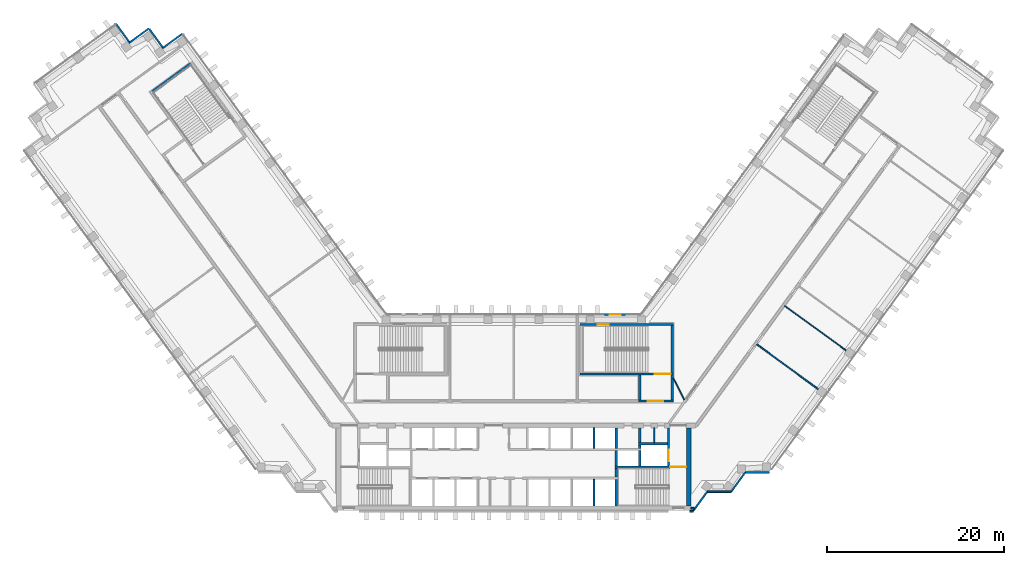
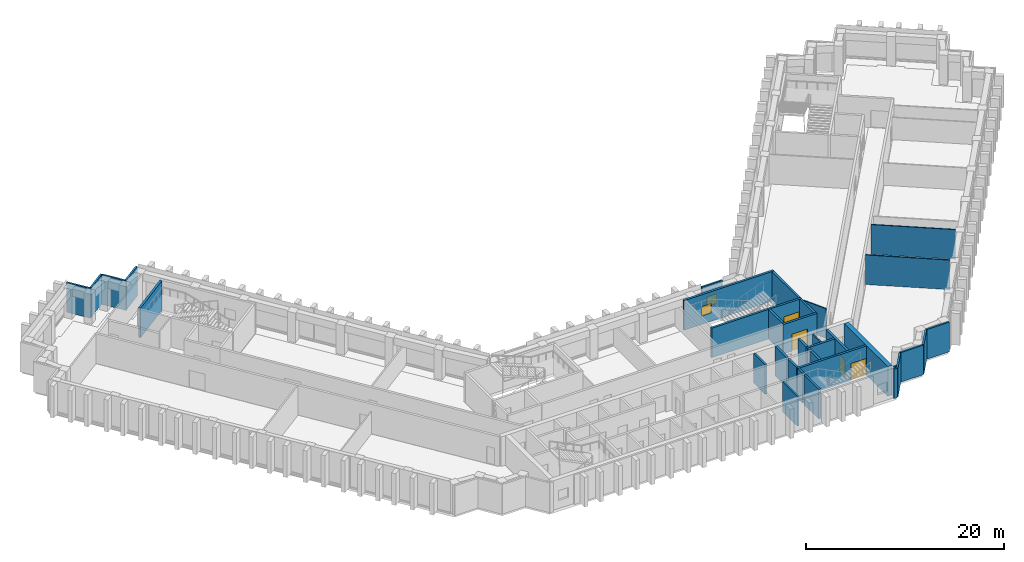
# One storey, part 8 of 13: 35 walls, 4 doors, 2 windows, 6 openings.
"""IFC4 building model written with IfcOpenShell, lengths in metres."""

from ifc_helpers import new_model, si_unit, direction, frame, frame_2d, origin, place, context, subcontext, project, spatial, rectangle, extrude, material, layer, layer_set, type_object, element, fill, save


model = new_model("IFC4")

# Units and contexts
model_context = context("Model", 3, precision=1e-05, world=origin(), true_north=direction((0.0, 1.0)))
body_context = subcontext(model_context, "Body", "Model", "MODEL_VIEW")
ifc_project = project(units=[si_unit("LENGTHUNIT", "METRE"), si_unit("AREAUNIT", "SQUARE_METRE"), si_unit("VOLUMEUNIT", "CUBIC_METRE"), si_unit("PLANEANGLEUNIT", "RADIAN"), si_unit("MASSUNIT", "GRAM", prefix="KILO")], contexts=[model_context])

# Site, building, storey
site_placement = place(None, origin())
site = spatial("IfcSite", under=ifc_project, at=site_placement, CompositionType="ELEMENT")
building_placement = place(site_placement, origin())
building = spatial("IfcBuilding", under=site, at=building_placement, Name="Quipu Civic Tower", CompositionType="ELEMENT")
storey_placement = place(building_placement, frame((0.0, 0.0, 67.0)))
storey = spatial("IfcBuildingStorey", under=building, at=storey_placement, Name="L15", CompositionType="ELEMENT", Elevation=67.0)

# Walls
ifc_material_1 = material(Name="Double gypsum plasterboard with mineral wool")
ifc_layer_1 = layer(ifc_material_1, 0.14990234375)
ifc_layer_set_1 = layer_set([ifc_layer_1], Name="Double gypsum plasterboard with mineral wool")
wall_type_1 = type_object("IfcWallType", Name="Acoustic partition 150 plasterboard", PredefinedType="PARTITIONING", material=ifc_layer_set_1)
wall_1_placement = place(storey_placement, frame((27.412841796875, 7.735107421875, 0.0), z_axis=(0.0, 0.0, 1.0), x_axis=(0.807664804385, -0.589641894507, 0.0)))
element("IfcWall", 1, at=wall_1_placement, inside=storey, type_object=wall_type_1, Name="Partition P01", PredefinedType="PARTITIONING", context=body_context, shape_type="SweptSolid", body=[
    extrude(rectangle(XDim=8.594482421875, YDim=0.14990234375, at=frame_2d((4.29736328125, 0.0))), origin(), (0.0, 0.0, 1.0), 3.64990234375),
])
ifc_material_2 = material(Name="Concrete C70/85", Category="concrete")
ifc_layer_2 = layer(ifc_material_2, 0.25)
ifc_layer_set_2 = layer_set([ifc_layer_2], Name="Concrete C70/85")
wall_type_2 = type_object("IfcWallType", Name="Core wall 250", PredefinedType="SHEAR", material=ifc_layer_set_2)
wall_2_placement = place(storey_placement, frame((11.574951171875, -10.5, 0.0), z_axis=(0.0, 0.0, 1.0), x_axis=(0.0, 1.0, 0.0)))
element("IfcWall", 2, at=wall_2_placement, inside=storey, type_object=wall_type_2, Name="Core wall", PredefinedType="SHEAR", context=body_context, shape_type="SweptSolid", body=[
    extrude(rectangle(XDim=3.0, YDim=0.25, at=frame_2d((1.5, 0.0))), origin(), (0.0, 0.0, 1.0), 3.64990234375),
])
wall_3_placement = place(storey_placement, frame((11.574951171875, -7.25, 0.0), z_axis=(0.0, 0.0, 1.0), x_axis=(0.0, 1.0, 0.0)))
element("IfcWall", 3, at=wall_3_placement, inside=storey, type_object=wall_type_2, Name="Core wall", PredefinedType="SHEAR", context=body_context, shape_type="SweptSolid", body=[
    extrude(rectangle(XDim=1.0, YDim=0.25, at=frame_2d((0.5, 0.0))), origin(), (0.0, 0.0, 1.0), 3.64990234375),
])

# Wall, opening, door
wall_4_placement = place(storey_placement, frame((19.5, -6.125, 0.0), z_axis=(0.0, 0.0, 1.0), x_axis=(-1.0, 0.0, 0.0)))
wall_4 = element("IfcWall", 4, at=wall_4_placement, inside=storey, type_object=wall_type_2, Name="Core wall", PredefinedType="SHEAR", context=body_context, shape_type="SweptSolid", body=[
    extrude(rectangle(XDim=8.050048828125, YDim=0.25, at=frame_2d((4.02490234375, 0.0))), origin(), (0.0, 0.0, 1.0), 3.64990234375),
])
opening_1_placement = place(wall_4_placement, frame((0.050048828125, 0.0, 0.0)))
opening_1 = element("IfcOpeningElement", 5, at=opening_1_placement, cuts=wall_4, Name="Opening CD-05", PredefinedType="OPENING", context=body_context, shape_type="SweptSolid", body=[
    extrude(rectangle(XDim=1.800048828125, YDim=2.10009765625, at=frame_2d((0.89990234375, 1.050048828125))), frame((0.0, 0.135009765625, 0.0), z_axis=(0.0, -1.0, 0.0), x_axis=(1.0, 0.0, 0.0)), (0.0, 0.0, 1.0), 0.27001953125),
])
ifc_material_3 = material(Name="Fire rated steel door", Category="steel")
door_type_1 = type_object("IfcDoorType", Name="Fire door FD90 double 1800 x 2100", OperationType="NOTDEFINED", PredefinedType="DOOR", material=ifc_material_3)
door_1_placement = place(opening_1_placement, origin())
door_1 = element("IfcDoor", 6, at=door_1_placement, inside=storey, type_object=door_type_1, Name="Door", OperationType="DOUBLE_DOOR_SINGLE_SWING", OverallHeight=2.10009765625, OverallWidth=1.800048828125, PredefinedType="DOOR", context=body_context, shape_type="SweptSolid", body=[
    extrude(rectangle(XDim=1.800048828125, YDim=2.10009765625, at=frame_2d((0.89990234375, 1.050048828125))), frame((0.0, 0.02490234375, 0.0), z_axis=(0.0, -1.0, 0.0), x_axis=(1.0, 0.0, 0.0)), (0.0, 0.0, 1.0), 0.050048828125),
])
fill(opening_1, door_1)

# Walls
for number, where, z_axis, x_axis, name in (
    (7, (11.574951171875, -6.0, 0.0), (0.0, 0.0, 1.0), (0.0, 1.0, 0.0), "Core wall"),
    (8, (14.22509765625, -6.0, 0.0), (0.0, 0.0, 1.0), (0.0, 1.0, 0.0), "Core wall"),
):
    element("IfcWall", number, at=place(storey_placement, frame(where, z_axis=z_axis, x_axis=x_axis)), inside=storey, type_object=wall_type_2, Name=name, PredefinedType="SHEAR", context=body_context, shape_type="SweptSolid", body=[
        extrude(rectangle(XDim=1.75, YDim=0.25, at=frame_2d((0.875, 0.0))), origin(), (0.0, 0.0, 1.0), 3.64990234375),
    ])

# Wall, opening, door
wall_5_placement = place(storey_placement, frame((17.47509765625, -6.0, 0.0), z_axis=(0.0, 0.0, 1.0), x_axis=(0.0, 1.0, 0.0)))
wall_5 = element("IfcWall", 9, at=wall_5_placement, inside=storey, type_object=wall_type_2, Name="Core wall", PredefinedType="SHEAR", context=body_context, shape_type="SweptSolid", body=[
    extrude(rectangle(XDim=4.300048828125, YDim=0.25, at=frame_2d((2.14990234375, 0.0))), origin(), (0.0, 0.0, 1.0), 3.64990234375),
])
opening_2_placement = place(wall_5_placement, frame((0.550048828125, 0.0, 0.0)))
opening_2 = element("IfcOpeningElement", 10, at=opening_2_placement, cuts=wall_5, Name="Opening LD-FF2", PredefinedType="OPENING", context=body_context, shape_type="SweptSolid", body=[
    extrude(rectangle(XDim=1.300048828125, YDim=2.10009765625, at=frame_2d((0.64990234375, 1.050048828125))), frame((0.0, 0.135009765625, 0.0), z_axis=(0.0, -1.0, 0.0), x_axis=(1.0, 0.0, 0.0)), (0.0, 0.0, 1.0), 0.27001953125),
])
ifc_material_4 = material(Name="Stainless steel", Category="steel")
door_type_2 = type_object("IfcDoorType", Name="Lift landing door 1300 x 2100", OperationType="DOUBLE_DOOR_SLIDING", PredefinedType="DOOR", material=ifc_material_4)
door_2_placement = place(opening_2_placement, origin())
door_2 = element("IfcDoor", 11, at=door_2_placement, inside=storey, type_object=door_type_2, Name="Landing door FF2", OperationType="DOUBLE_DOOR_SLIDING", OverallHeight=2.10009765625, OverallWidth=1.300048828125, PredefinedType="DOOR", context=body_context, shape_type="SweptSolid", body=[
    extrude(rectangle(XDim=1.300048828125, YDim=2.10009765625, at=frame_2d((0.64990234375, 1.050048828125))), frame((0.0, 0.02490234375, 0.0), z_axis=(0.0, -1.0, 0.0), x_axis=(1.0, 0.0, 0.0)), (0.0, 0.0, 1.0), 0.050048828125),
])
fill(opening_2, door_2)

# Walls
wall_6_placement = place(storey_placement, frame((11.574951171875, -4.0, 0.0), z_axis=(0.0, 0.0, 1.0), x_axis=(0.0, 1.0, 0.0)))
element("IfcWall", 12, at=wall_6_placement, inside=storey, type_object=wall_type_2, Name="Core wall", PredefinedType="SHEAR", context=body_context, shape_type="SweptSolid", body=[
    extrude(rectangle(XDim=2.300048828125, YDim=0.25, at=frame_2d((1.14990234375, 0.0))), origin(), (0.0, 0.0, 1.0), 3.64990234375),
])
wall_7_placement = place(storey_placement, frame((14.22509765625, -4.0, 0.0), z_axis=(0.0, 0.0, 1.0), x_axis=(0.0, 1.0, 0.0)))
element("IfcWall", 13, at=wall_7_placement, inside=storey, type_object=wall_type_2, Name="Core wall", PredefinedType="SHEAR", context=body_context, shape_type="SweptSolid", body=[
    extrude(rectangle(XDim=0.39990234375, YDim=0.25, at=frame_2d((0.199951171875, 0.0))), origin(), (0.0, 0.0, 1.0), 3.64990234375),
])
wall_8_placement = place(storey_placement, frame((14.10009765625, -3.47509765625, 0.0), z_axis=(0.0, 0.0, 1.0), x_axis=(1.0, 0.0, 0.0)))
element("IfcWall", 14, at=wall_8_placement, inside=storey, type_object=wall_type_2, Name="Core wall", PredefinedType="SHEAR", context=body_context, shape_type="SweptSolid", body=[
    extrude(rectangle(XDim=3.25, YDim=0.25, at=frame_2d((1.625, 0.0))), origin(), (0.0, 0.0, 1.0), 3.64990234375),
])
wall_9_placement = place(storey_placement, frame((14.22509765625, -3.35009765625, 0.0), z_axis=(0.0, 0.0, 1.0), x_axis=(0.0, 1.0, 0.0)))
element("IfcWall", 15, at=wall_9_placement, inside=storey, type_object=wall_type_2, Name="Core wall", PredefinedType="SHEAR", context=body_context, shape_type="SweptSolid", body=[
    extrude(rectangle(XDim=1.650146484375, YDim=0.25, at=frame_2d((0.8251953125, 0.0))), origin(), (0.0, 0.0, 1.0), 3.64990234375),
])

# Wall, opening, door
wall_10_placement = place(storey_placement, frame((14.10009765625, 1.324951171875, 0.0), z_axis=(0.0, 0.0, 1.0), x_axis=(1.0, 0.0, 0.0)))
wall_10 = element("IfcWall", 16, at=wall_10_placement, inside=storey, type_object=wall_type_2, Name="Core wall", PredefinedType="SHEAR", context=body_context, shape_type="SweptSolid", body=[
    extrude(rectangle(XDim=3.89990234375, YDim=0.25, at=frame_2d((1.949951171875, 0.0))), origin(), (0.0, 0.0, 1.0), 3.64990234375),
])
opening_3_placement = place(wall_10_placement, frame((1.0, 0.0, 0.0)))
opening_3 = element("IfcOpeningElement", 17, at=opening_3_placement, cuts=wall_10, Name="Opening CD-17", PredefinedType="OPENING", context=body_context, shape_type="SweptSolid", body=[
    extrude(rectangle(XDim=1.800048828125, YDim=2.10009765625, at=frame_2d((0.89990234375, 1.050048828125))), frame((0.0, 0.135009765625, 0.0), z_axis=(0.0, -1.0, 0.0), x_axis=(1.0, 0.0, 0.0)), (0.0, 0.0, 1.0), 0.27001953125),
])
door_3_placement = place(opening_3_placement, origin())
door_3 = element("IfcDoor", 18, at=door_3_placement, inside=storey, type_object=door_type_1, Name="Lobby door", OperationType="DOUBLE_DOOR_SINGLE_SWING", OverallHeight=2.10009765625, OverallWidth=1.800048828125, PredefinedType="DOOR", context=body_context, shape_type="SweptSolid", body=[
    extrude(rectangle(XDim=1.800048828125, YDim=2.10009765625, at=frame_2d((0.89990234375, 1.050048828125))), frame((0.0, 0.02490234375, 0.0), z_axis=(0.0, -1.0, 0.0), x_axis=(1.0, 0.0, 0.0)), (0.0, 0.0, 1.0), 0.050048828125),
])
fill(opening_3, door_3)

# Walls
for number, where, z_axis, x_axis, name in (
    (19, (14.22509765625, 1.449951171875, 0.0), (0.0, 0.0, 1.0), (0.0, 1.0, 0.0), "Core wall"),
    (20, (17.875, 1.449951171875, 0.0), (0.0, 0.0, 1.0), (0.0, 1.0, 0.0), "Core wall"),
):
    element("IfcWall", number, at=place(storey_placement, frame(where, z_axis=z_axis, x_axis=x_axis)), inside=storey, type_object=wall_type_2, Name=name, PredefinedType="SHEAR", context=body_context, shape_type="SweptSolid", body=[
        extrude(rectangle(XDim=2.800048828125, YDim=0.25, at=frame_2d((1.39990234375, 0.0))), origin(), (0.0, 0.0, 1.0), 3.64990234375),
    ])

# Wall, opening, door
wall_11_placement = place(storey_placement, frame((7.5, 4.375, 0.0), z_axis=(0.0, 0.0, 1.0), x_axis=(1.0, 0.0, 0.0)))
wall_11 = element("IfcWall", 21, at=wall_11_placement, inside=storey, type_object=wall_type_2, Name="Core wall", PredefinedType="SHEAR", context=body_context, shape_type="SweptSolid", body=[
    extrude(rectangle(XDim=10.5, YDim=0.25, at=frame_2d((5.25, 0.0))), origin(), (0.0, 0.0, 1.0), 3.64990234375),
])
opening_4_placement = place(wall_11_placement, frame((8.39990234375, 0.0, 0.0)))
opening_4 = element("IfcOpeningElement", 22, at=opening_4_placement, cuts=wall_11, Name="Opening CD-18", PredefinedType="OPENING", context=body_context, shape_type="SweptSolid", body=[
    extrude(rectangle(XDim=1.800048828125, YDim=2.10009765625, at=frame_2d((0.89990234375, 1.050048828125))), frame((0.0, 0.135009765625, 0.0), z_axis=(0.0, -1.0, 0.0), x_axis=(1.0, 0.0, 0.0)), (0.0, 0.0, 1.0), 0.27001953125),
])
door_4_placement = place(opening_4_placement, origin())
door_4 = element("IfcDoor", 23, at=door_4_placement, inside=storey, type_object=door_type_1, Name="Door", OperationType="DOUBLE_DOOR_SINGLE_SWING", OverallHeight=2.10009765625, OverallWidth=1.800048828125, PredefinedType="DOOR", context=body_context, shape_type="SweptSolid", body=[
    extrude(rectangle(XDim=1.800048828125, YDim=2.10009765625, at=frame_2d((0.89990234375, 1.050048828125))), frame((0.0, 0.02490234375, 0.0), z_axis=(0.0, -1.0, 0.0), x_axis=(1.0, 0.0, 0.0)), (0.0, 0.0, 1.0), 0.050048828125),
])
fill(opening_4, door_4)

# Wall
wall_12_placement = place(storey_placement, frame((17.875, 4.5, 0.0), z_axis=(0.0, 0.0, 1.0), x_axis=(0.0, 1.0, 0.0)))
element("IfcWall", 24, at=wall_12_placement, inside=storey, type_object=wall_type_2, Name="Core wall", PredefinedType="SHEAR", context=body_context, shape_type="SweptSolid", body=[
    extrude(rectangle(XDim=5.35009765625, YDim=0.25, at=frame_2d((2.675048828125, 0.0))), origin(), (0.0, 0.0, 1.0), 3.64990234375),
])

# Wall, opening, window
wall_13_placement = place(storey_placement, frame((7.5, 9.97509765625, 0.0), z_axis=(0.0, 0.0, 1.0), x_axis=(1.0, 0.0, 0.0)))
wall_13 = element("IfcWall", 25, at=wall_13_placement, inside=storey, type_object=wall_type_2, Name="Core wall", PredefinedType="SHEAR", context=body_context, shape_type="SweptSolid", body=[
    extrude(rectangle(XDim=10.5, YDim=0.25, at=frame_2d((5.25, 0.0))), origin(), (0.0, 0.0, 1.0), 3.64990234375),
])
opening_5_placement = place(wall_13_placement, frame((2.0, 0.0, 1.0)))
opening_5 = element("IfcOpeningElement", 26, at=opening_5_placement, cuts=wall_13, Name="Opening SV-4", PredefinedType="OPENING", context=body_context, shape_type="SweptSolid", body=[
    extrude(rectangle(XDim=1.199951171875, YDim=1.199951171875, at=frame_2d((0.60009765625, 0.60009765625))), frame((0.0, 0.135009765625, 0.0), z_axis=(0.0, -1.0, 0.0), x_axis=(1.0, 0.0, 0.0)), (0.0, 0.0, 1.0), 0.27001953125),
])
ifc_material_5 = material(Name="Aluminium louvre", Category="aluminium")
window_type_1 = type_object("IfcWindowType", Name="Stair ventilation louvre 1200 x 1200", PartitioningType="SINGLE_PANEL", PredefinedType="WINDOW", material=ifc_material_5)
window_1_placement = place(opening_5_placement, origin())
window_1 = element("IfcWindow", 27, at=window_1_placement, inside=storey, type_object=window_type_1, Name="Stair ventilation opening", OverallHeight=1.199951171875, OverallWidth=1.199951171875, PartitioningType="SINGLE_PANEL", PredefinedType="WINDOW", context=body_context, shape_type="SweptSolid", body=[
    extrude(rectangle(XDim=1.199951171875, YDim=1.199951171875, at=frame_2d((0.60009765625, 0.60009765625))), frame((0.0, 0.030029296875, 0.0), z_axis=(0.0, -1.0, 0.0), x_axis=(1.0, 0.0, 0.0)), (0.0, 0.0, 1.0), 0.06005859375),
])
fill(opening_5, window_1)

# Walls
wall_14_placement = place(storey_placement, frame((-36.43896484375, 39.384033203125, 0.0), z_axis=(0.0, 0.0, 1.0), x_axis=(-0.809020161303, -0.587780893365, 0.0)))
element("IfcWall", 28, at=wall_14_placement, inside=storey, type_object=wall_type_2, Name="Core wall", PredefinedType="SHEAR", context=body_context, shape_type="SweptSolid", body=[
    extrude(rectangle(XDim=5.349853515625, YDim=0.25, at=frame_2d((2.6748046875, 0.0))), origin(), (0.0, 0.0, 1.0), 3.64990234375),
])
ifc_material_6 = material(Name="Concrete C70/85", Category="concrete")
ifc_layer_3 = layer(ifc_material_6, 0.5)
ifc_layer_set_3 = layer_set([ifc_layer_3], Name="Concrete C70/85")
wall_type_3 = type_object("IfcWallType", Name="Core wall 500", PredefinedType="SHEAR", material=ifc_layer_set_3)
wall_15_placement = place(storey_placement, frame((19.75, -10.5, 0.0), z_axis=(0.0, 0.0, 1.0), x_axis=(0.0, 1.0, 0.0)))
element("IfcWall", 29, at=wall_15_placement, inside=storey, type_object=wall_type_3, Name="Core wall", PredefinedType="SHEAR", context=body_context, shape_type="SweptSolid", body=[
    extrude(rectangle(XDim=8.800048828125, YDim=0.5, at=frame_2d((4.39990234375, 0.0))), origin(), (0.0, 0.0, 1.0), 3.64990234375),
])
ifc_material_7 = material(Name="Gypsum plasterboard on light gauge framing")
ifc_layer_4 = layer(ifc_material_7, 0.1201171875)
ifc_layer_set_4 = layer_set([ifc_layer_4], Name="Gypsum plasterboard on light gauge framing")
wall_type_4 = type_object("IfcWallType", Name="Partition 120 plasterboard", PredefinedType="PARTITIONING", material=ifc_layer_set_4)
wall_16_placement = place(storey_placement, frame((37.516357421875, 7.019775390625, 0.0), z_axis=(0.0, 0.0, 1.0), x_axis=(-0.809002556908, 0.587805123248, 0.0)))
element("IfcWall", 30, at=wall_16_placement, inside=storey, type_object=wall_type_4, Name="Partition P02", PredefinedType="PARTITIONING", context=body_context, shape_type="SweptSolid", body=[
    extrude(rectangle(XDim=8.5947265625, YDim=0.1201171875, at=frame_2d((4.29736328125, 0.0))), origin(), (0.0, 0.0, 1.0), 3.64990234375),
])
wall_17_placement = place(storey_placement, frame((18.0, 3.925048828125, 0.0), z_axis=(0.0, 0.0, 1.0), x_axis=(0.453950796792, -0.891026752736, 0.0)))
element("IfcWall", 31, at=wall_17_placement, inside=storey, type_object=wall_type_4, Name="Partition P18", PredefinedType="PARTITIONING", context=body_context, shape_type="SweptSolid", body=[
    extrude(rectangle(XDim=2.77783203125, YDim=0.1201171875, at=frame_2d((1.388916015625, 0.0))), origin(), (0.0, 0.0, 1.0), 3.64990234375),
])
ifc_material_8 = material(Name="Gypsum board partition")
ifc_layer_5 = layer(ifc_material_8, 0.14990234375)
ifc_layer_set_5 = layer_set([ifc_layer_5], Name="Gypsum board partition")
wall_type_5 = type_object("IfcWallType", Name="Partition 150", PredefinedType="PARTITIONING", material=ifc_layer_set_5)
wall_18_placement = place(storey_placement, frame((15.85009765625, -3.35009765625, 0.0), z_axis=(0.0, 0.0, 1.0), x_axis=(0.0, 1.0, 0.0)))
element("IfcWall", 32, at=wall_18_placement, inside=storey, type_object=wall_type_5, Name="Partition", PredefinedType="PARTITIONING", context=body_context, shape_type="SweptSolid", body=[
    extrude(rectangle(XDim=1.650146484375, YDim=0.14990234375, at=frame_2d((0.8251953125, 0.0))), origin(), (0.0, 0.0, 1.0), 3.64990234375),
])
ifc_material_9 = material(Name="Precast concrete C40/50", Category="concrete")
wall_type_6 = type_object("IfcWallType", Name="Precast cladding wall", PredefinedType="SOLIDWALL", material=ifc_material_9)
wall_19_placement = place(storey_placement, frame((-37.352783203125, 42.768310546875, 0.0), z_axis=(0.0, 0.0, 1.0), x_axis=(-0.809033161865, -0.587762999008, 0.0)))
element("IfcWall", 33, at=wall_19_placement, inside=storey, type_object=wall_type_6, Name="Precast cladding wall L15 2", PredefinedType="SOLIDWALL", context=body_context, shape_type="SweptSolid", body=[
    extrude(rectangle(XDim=2.699951171875, YDim=0.199951171875, at=frame_2d((1.35009765625, 0.0))), origin(), (0.0, 0.0, 1.0), 3.64990234375),
])
wall_20_placement = place(storey_placement, frame((-39.488037109375, 41.093505859375, 0.0), z_axis=(0.0, 0.0, 1.0), x_axis=(-0.587806000234, 0.809001919707, 0.0)))
element("IfcWall", 34, at=wall_20_placement, inside=storey, type_object=wall_type_6, Name="Precast cladding wall L15 3", PredefinedType="SOLIDWALL", context=body_context, shape_type="SweptSolid", body=[
    extrude(rectangle(XDim=2.69970703125, YDim=0.199951171875, at=frame_2d((1.349853515625, 0.0))), origin(), (0.0, 0.0, 1.0), 3.64990234375),
])
for number, where, z_axis, x_axis, name in (
    (35, (-41.1240234375, 43.36572265625, 0.0), (0.0, 0.0, 1.0), (-0.809033161865, -0.587762999008, 0.0), "Precast cladding wall L15 4"),
    (36, (-43.25927734375, 41.690673828125, 0.0), (0.0, 0.0, 1.0), (-0.587822180636, 0.808990163075, 0.0), "Precast cladding wall L15 5"),
):
    element("IfcWall", number, at=place(storey_placement, frame(where, z_axis=z_axis, x_axis=x_axis)), inside=storey, type_object=wall_type_6, Name=name, PredefinedType="SOLIDWALL", context=body_context, shape_type="SweptSolid", body=[
        extrude(rectangle(XDim=2.699951171875, YDim=0.199951171875, at=frame_2d((1.35009765625, 0.0))), origin(), (0.0, 0.0, 1.0), 3.64990234375),
    ])
wall_21_placement = place(storey_placement, frame((19.85009765625, -11.087890625, 0.0), z_axis=(0.0, 0.0, 1.0), x_axis=(1.0, 0.0, 0.0)))
element("IfcWall", 37, at=wall_21_placement, inside=storey, type_object=wall_type_6, Name="Precast cladding wall L15 15", PredefinedType="SOLIDWALL", context=body_context, shape_type="SweptSolid", body=[
    extrude(rectangle(XDim=0.40576171875, YDim=0.199951171875, at=frame_2d((0.202880859375, 0.0))), origin(), (0.0, 0.0, 1.0), 3.64990234375),
])
wall_22_placement = place(storey_placement, frame((20.253173828125, -11.083251953125, 0.0), z_axis=(0.0, 0.0, 1.0), x_axis=(0.587766567315, 0.809030569476, 0.0)))
element("IfcWall", 38, at=wall_22_placement, inside=storey, type_object=wall_type_6, Name="Precast cladding wall L15 16", PredefinedType="SOLIDWALL", context=body_context, shape_type="SweptSolid", body=[
    extrude(rectangle(XDim=2.687744140625, YDim=0.199951171875, at=frame_2d((1.34375, 0.0))), origin(), (0.0, 0.0, 1.0), 3.64990234375),
])
wall_23_placement = place(storey_placement, frame((21.8427734375, -8.90380859375, 0.0), z_axis=(0.0, 0.0, 1.0), x_axis=(1.0, 0.0, 0.0)))
element("IfcWall", 39, at=wall_23_placement, inside=storey, type_object=wall_type_6, Name="Precast cladding wall L15 17", PredefinedType="SOLIDWALL", context=body_context, shape_type="SweptSolid", body=[
    extrude(rectangle(XDim=2.699951171875, YDim=0.199951171875, at=frame_2d((1.35009765625, 0.0))), origin(), (0.0, 0.0, 1.0), 3.64990234375),
])
wall_24_placement = place(storey_placement, frame((24.533203125, -8.90869140625, 0.0), z_axis=(0.0, 0.0, 1.0), x_axis=(0.587720002413, 0.809064397168, 0.0)))
element("IfcWall", 40, at=wall_24_placement, inside=storey, type_object=wall_type_6, Name="Precast cladding wall L15 18", PredefinedType="SOLIDWALL", context=body_context, shape_type="SweptSolid", body=[
    extrude(rectangle(XDim=2.7001953125, YDim=0.199951171875, at=frame_2d((1.35009765625, 0.0))), origin(), (0.0, 0.0, 1.0), 3.64990234375),
])
wall_25_placement = place(storey_placement, frame((26.1298828125, -6.71923828125, 0.0), z_axis=(0.0, 0.0, 1.0), x_axis=(1.0, 0.0, 0.0)))
element("IfcWall", 41, at=wall_25_placement, inside=storey, type_object=wall_type_6, Name="Precast cladding wall L15 19", PredefinedType="SOLIDWALL", context=body_context, shape_type="SweptSolid", body=[
    extrude(rectangle(XDim=2.699951171875, YDim=0.199951171875, at=frame_2d((1.35009765625, 0.0))), origin(), (0.0, 0.0, 1.0), 3.64990234375),
])

# Wall, opening, window
wall_26_placement = place(storey_placement, frame((12.655029296875, 11.10009765625, 0.0), z_axis=(0.0, 0.0, 1.0), x_axis=(-1.0, 0.0, 0.0)))
wall_26 = element("IfcWall", 42, at=wall_26_placement, inside=storey, type_object=wall_type_6, Name="Vent surround SF-L15-2", PredefinedType="SOLIDWALL", context=body_context, shape_type="SweptSolid", body=[
    extrude(rectangle(XDim=2.3916015625, YDim=0.199951171875, at=frame_2d((1.19580078125, 0.0))), origin(), (0.0, 0.0, 1.0), 3.64990234375),
])
opening_6_placement = place(wall_26_placement, frame((0.595703125, 0.0, 1.0)))
opening_6 = element("IfcOpeningElement", 43, at=opening_6_placement, cuts=wall_26, Name="Opening SF-L15-2", PredefinedType="OPENING", context=body_context, shape_type="SweptSolid", body=[
    extrude(rectangle(XDim=1.199951171875, YDim=1.199951171875, at=frame_2d((0.60009765625, 0.60009765625))), frame((0.0, 0.10986328125, 0.0), z_axis=(0.0, -1.0, 0.0), x_axis=(1.0, 0.0, 0.0)), (0.0, 0.0, 1.0), 0.219970703125),
])
ifc_material_10 = material(Name="Anodised aluminium louvre", Category="aluminium")
window_type_2 = type_object("IfcWindowType", Name="Stair vent louvre window P3", PartitioningType="SINGLE_PANEL", PredefinedType="WINDOW", material=ifc_material_10)
window_2_placement = place(opening_6_placement, origin())
window_2 = element("IfcWindow", 44, at=window_2_placement, inside=storey, type_object=window_type_2, Name="Stair vent louvre SF-L15-2", OverallHeight=1.199951171875, OverallWidth=1.199951171875, PartitioningType="SINGLE_PANEL", PredefinedType="WINDOW", context=body_context, shape_type="SweptSolid", body=[
    extrude(rectangle(XDim=1.199951171875, YDim=1.199951171875, at=frame_2d((0.60009765625, 0.60009765625))), frame((0.0, 0.030029296875, 0.0), z_axis=(0.0, -1.0, 0.0), x_axis=(1.0, 0.0, 0.0)), (0.0, 0.0, 1.0), 0.06005859375),
])
fill(opening_6, window_2)

# Walls
wall_27_placement = place(storey_placement, frame((19.97998046875, -10.75, 0.0), z_axis=(0.0, 0.0, 1.0), x_axis=(1.0, 0.0, 0.0)))
element("IfcWall", 45, at=wall_27_placement, inside=storey, type_object=wall_type_6, Name="Precast cladding return L15 E", PredefinedType="SOLIDWALL", context=body_context, shape_type="SweptSolid", body=[
    extrude(rectangle(XDim=0.41650390625, YDim=0.199951171875, at=frame_2d((0.208251953125, 0.0))), origin(), (0.0, 0.0, 1.0), 3.64990234375),
])
ifc_material_11 = material(Name="Concrete C40/50", Category="concrete")
ifc_layer_6 = layer(ifc_material_11, 0.199951171875)
ifc_layer_set_6 = layer_set([ifc_layer_6], Name="Concrete C40/50")
wall_type_7 = type_object("IfcWallType", Name="Shaft wall 200", PredefinedType="SOLIDWALL", material=ifc_layer_set_6)
wall_28_placement = place(storey_placement, frame((9.050048828125, -10.5, 0.0), z_axis=(0.0, 0.0, 1.0), x_axis=(0.0, 1.0, 0.0)))
element("IfcWall", 46, at=wall_28_placement, inside=storey, type_object=wall_type_7, Name="Shaft wall", PredefinedType="SOLIDWALL", context=body_context, shape_type="SweptSolid", body=[
    extrude(rectangle(XDim=3.0, YDim=0.199951171875, at=frame_2d((1.5, 0.0))), origin(), (0.0, 0.0, 1.0), 3.64990234375),
])
wall_29_placement = place(storey_placement, frame((9.050048828125, -4.0, 0.0), z_axis=(0.0, 0.0, 1.0), x_axis=(0.0, 1.0, 0.0)))
element("IfcWall", 47, at=wall_29_placement, inside=storey, type_object=wall_type_7, Name="Shaft wall", PredefinedType="SOLIDWALL", context=body_context, shape_type="SweptSolid", body=[
    extrude(rectangle(XDim=2.300048828125, YDim=0.199951171875, at=frame_2d((1.14990234375, 0.0))), origin(), (0.0, 0.0, 1.0), 3.64990234375),
])

save(model, "model.ifc")
